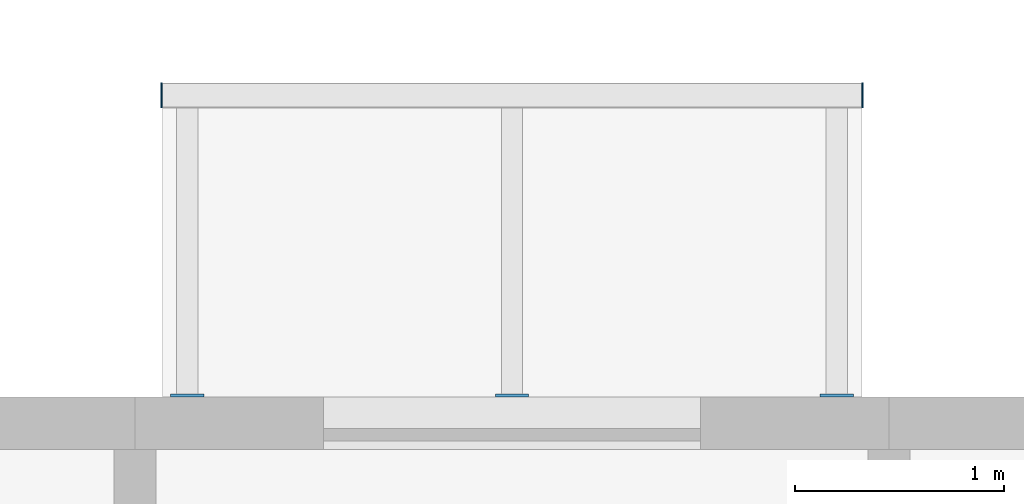
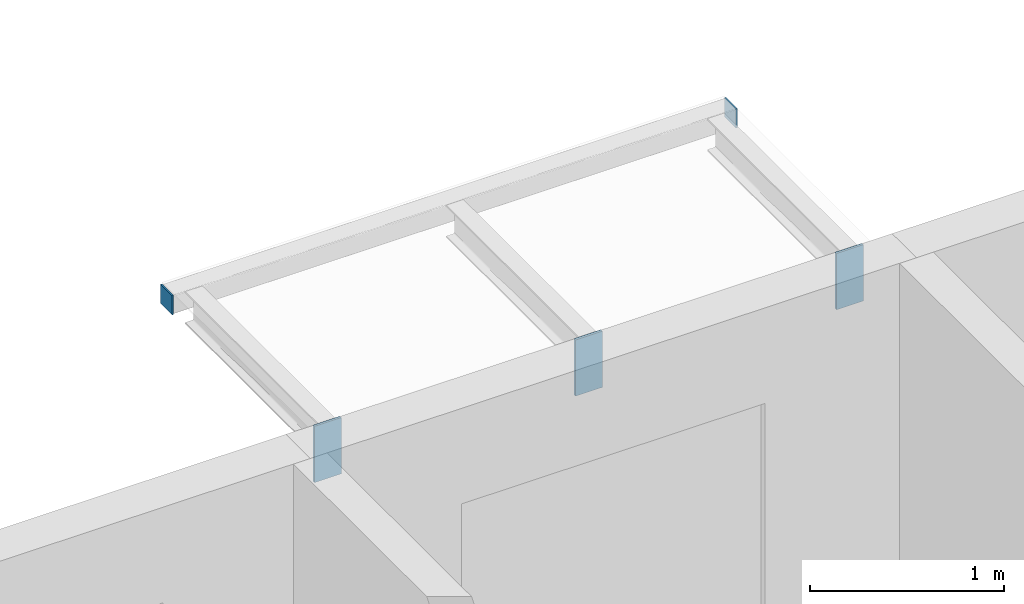
# One storey, part 69 of 93: 5 discrete accessories.
"""IFC4 building model written with IfcOpenShell, lengths in metres."""

from ifc_helpers import new_model, si_unit, direction, frame, origin, origin_2d, place, context, subcontext, project, spatial, rectangle, extrude, material, layer, layer_set, type_object, element, save


model = new_model("IFC4")

# Units and contexts
model_context = context("Model", 3, precision=1e-05, world=origin(), true_north=direction((0.0, 1.0)))
body_context = subcontext(model_context, "Body", "Model", "MODEL_VIEW")
ifc_project = project(units=[si_unit("LENGTHUNIT", "METRE"), si_unit("AREAUNIT", "SQUARE_METRE"), si_unit("VOLUMEUNIT", "CUBIC_METRE"), si_unit("PLANEANGLEUNIT", "RADIAN"), si_unit("MASSUNIT", "GRAM", prefix="KILO")], contexts=[model_context])

# Site, building, storey
site_placement = place(None, origin())
site = spatial("IfcSite", under=ifc_project, at=site_placement, CompositionType="ELEMENT")
building_placement = place(site_placement, origin())
building = spatial("IfcBuilding", under=site, at=building_placement, Name="Ridgestep Commons", CompositionType="ELEMENT")
storey_placement = place(building_placement, frame((0.0, 0.0, 18.0)))
storey = spatial("IfcBuildingStorey", under=building, at=storey_placement, Name="L06", CompositionType="ELEMENT", Elevation=18.0)

# Discrete accessories
ifc_material_1 = material(Name="Weathering steel S355J2W", Category="steel")
ifc_layer_1 = layer(ifc_material_1, 0.014892578125)
ifc_layer_set_1 = layer_set([ifc_layer_1], Name="Tray bracket plate 15")
discrete_accessory_type_1 = type_object("IfcDiscreteAccessoryType", Name="Tray bracket plate 15", PredefinedType="BRACKET", material=ifc_layer_set_1)
for number, where, z_axis, x_axis, name in (
    (1, (150.64990234375, 23.007568359375, 2.63671875), (0.0, 0.0, 1.0), (1.0, 0.0, 0.0), "Tray bracket D1T2-07.1"),
    (2, (152.199951171875, 23.007568359375, 2.63671875), (0.0, 0.0, 1.0), (1.0, 0.0, 0.0), "Tray bracket D1T2-07.2"),
    (3, (153.75, 23.007568359375, 2.63671875), (0.0, 0.0, 1.0), (1.0, 0.0, 0.0), "Tray bracket D1T2-07.3"),
):
    element("IfcDiscreteAccessory", number, at=place(storey_placement, frame(where, z_axis=z_axis, x_axis=x_axis)), inside=storey, type_object=discrete_accessory_type_1, Name=name, PredefinedType="BRACKET", context=body_context, shape_type="SweptSolid", body=[
        extrude(rectangle(XDim=0.159912109375, YDim=0.014892578125, at=origin_2d()), origin(), (0.0, 0.0, 1.0), 0.353271484375),
    ])
ifc_material_2 = material(Name="Weathering steel S355J2W", Category="steel")
ifc_layer_2 = layer(ifc_material_2, 0.008056640625)
ifc_layer_set_2 = layer_set([ifc_layer_2], Name="Tray edge member end plate 120 x 120 x 8")
discrete_accessory_type_2 = type_object("IfcDiscreteAccessoryType", Name="Tray edge member end plate 120 x 120 x 8", PredefinedType="BRACKET", material=ifc_layer_set_2)
for number, where, z_axis, x_axis, name in (
    (4, (150.52587890625, 24.43994140625, 2.869873046875), (0.0, 0.0, 1.0), (1.0, 0.0, 0.0), "Tray edge member end plate D1T2-07 west"),
    (5, (153.8740234375, 24.43994140625, 2.869873046875), (0.0, 0.0, 1.0), (1.0, 0.0, 0.0), "Tray edge member end plate D1T2-07 east"),
):
    element("IfcDiscreteAccessory", number, at=place(storey_placement, frame(where, z_axis=z_axis, x_axis=x_axis)), inside=storey, type_object=discrete_accessory_type_2, Name=name, PredefinedType="BRACKET", context=body_context, shape_type="SweptSolid", body=[
        extrude(rectangle(XDim=0.008056640625, YDim=0.1201171875, at=origin_2d()), origin(), (0.0, 0.0, 1.0), 0.1201171875),
    ])

save(model, "model.ifc")
